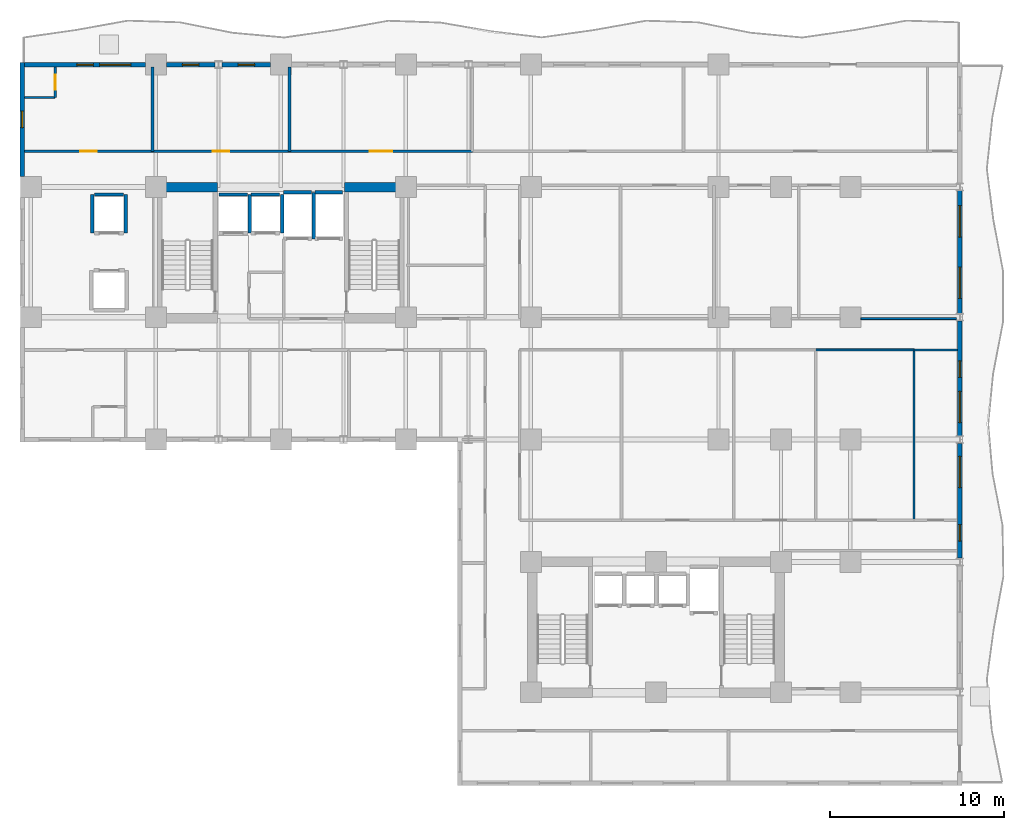
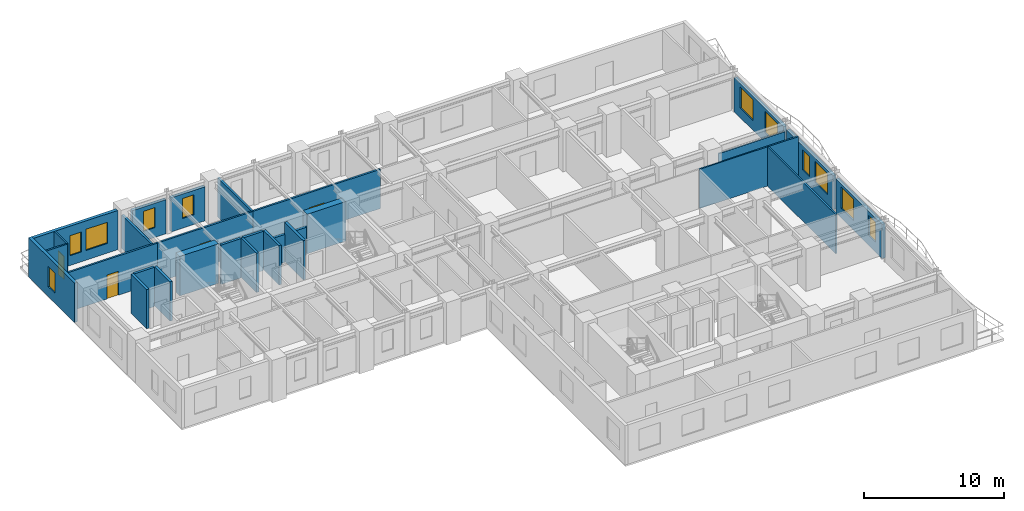
# One storey, part 6 of 11: 30 walls, 11 windows, 4 doors, 15 openings.
"""IFC4 building model written with IfcOpenShell, lengths in metres."""

from ifc_helpers import new_model, si_unit, direction, frame, frame_2d, origin, place, context, subcontext, project, spatial, rectangle, extrude, material, layer, layer_set, type_object, element, fill, save


model = new_model("IFC4")

# Units and contexts
model_context = context("Model", 3, precision=1e-05, world=origin(), true_north=direction((0.0, 1.0)))
body_context = subcontext(model_context, "Body", "Model", "MODEL_VIEW")
ifc_project = project(units=[si_unit("LENGTHUNIT", "METRE"), si_unit("AREAUNIT", "SQUARE_METRE"), si_unit("VOLUMEUNIT", "CUBIC_METRE"), si_unit("PLANEANGLEUNIT", "RADIAN"), si_unit("MASSUNIT", "GRAM", prefix="KILO")], contexts=[model_context])

# Site, building, storey
site_placement = place(None, origin())
site = spatial("IfcSite", under=ifc_project, at=site_placement, CompositionType="ELEMENT")
building_placement = place(site_placement, origin())
building = spatial("IfcBuilding", under=site, at=building_placement, Name="Kaliganga Portal Commons", CompositionType="ELEMENT")
storey_placement = place(building_placement, frame((0.0, 0.0, 100.800048828125)))
storey = spatial("IfcBuildingStorey", under=building, at=storey_placement, Name="L25", CompositionType="ELEMENT", Elevation=100.800048828125)

# Walls
ifc_material_1 = material(Name="Concrete C60/75", Category="concrete")
ifc_layer_1 = layer(ifc_material_1, 0.550048828125)
ifc_layer_set_1 = layer_set([ifc_layer_1], Name="Concrete C60/75")
wall_type_1 = type_object("IfcWallType", Name="WL-CORE-550", PredefinedType="SHEAR", material=ifc_layer_set_1)
for number, where, z_axis, x_axis, name in (
    (1, (14.75, 36.125, 0.0), (0.0, 0.0, 1.0), (1.0, 0.0, 0.0), "Core A N-West Shear Wall L25"),
    (2, (25.25, 36.125, 0.0), (0.0, 0.0, 1.0), (1.0, 0.0, 0.0), "Core A N-East Shear Wall L25"),
):
    element("IfcWall", number, at=place(storey_placement, frame(where, z_axis=z_axis, x_axis=x_axis)), inside=storey, type_object=wall_type_1, Name=name, PredefinedType="SHEAR", context=body_context, shape_type="SweptSolid", body=[
        extrude(rectangle(XDim=3.199951171875, YDim=0.550048828125, at=frame_2d((1.60009765625, 0.0))), origin(), (0.0, 0.0, 1.0), 3.449951171875),
    ])

# Wall, openings, windows
ifc_material_2 = material(Name="Insulated Aluminium-Clad Spandrel Assembly", Category="aluminium")
ifc_layer_2 = layer(ifc_material_2, 0.260009765625)
ifc_layer_set_2 = layer_set([ifc_layer_2], Name="Insulated Aluminium-Clad Spandrel Assembly")
wall_type_2 = type_object("IfcWallType", Name="WL-EXT-SPAND-260", PredefinedType="STANDARD", material=ifc_layer_set_2)
wall_1_placement = place(storey_placement, frame((60.699951171875, 21.384033203125, 0.0), z_axis=(0.0, 0.0, 1.0), x_axis=(0.0, -1.0, 0.0)))
wall_1 = element("IfcWall", 3, at=wall_1_placement, inside=storey, type_object=wall_type_2, Name="Exterior Envelope Wall L25 P1-E01-S3", PredefinedType="STANDARD", context=body_context, shape_type="SweptSolid", body=[
    extrude(rectangle(XDim=6.617919921875, YDim=0.260009765625, at=frame_2d((3.30908203125, 0.0))), origin(), (0.0, 0.0, 1.0), 2.97998046875),
])
opening_1_placement = place(wall_1_placement, frame((0.75439453125, 0.0, 0.85009765625)))
opening_1 = element("IfcOpeningElement", 4, at=opening_1_placement, cuts=wall_1, Name="Opening W-01", PredefinedType="OPENING", context=body_context, shape_type="SweptSolid", body=[
    extrude(rectangle(XDim=1.800048828125, YDim=1.85009765625, at=frame_2d((0.89990234375, 0.925048828125))), frame((0.0, 0.14013671875, 0.0), z_axis=(0.0, -1.0, 0.0), x_axis=(1.0, 0.0, 0.0)), (0.0, 0.0, 1.0), 0.280029296875),
])
opening_2_placement = place(wall_1_placement, frame((4.68701171875, 0.0, 0.85009765625)))
opening_2 = element("IfcOpeningElement", 5, at=opening_2_placement, cuts=wall_1, Name="Opening W-04", PredefinedType="OPENING", context=body_context, shape_type="SweptSolid", body=[
    extrude(rectangle(XDim=0.949951171875, YDim=1.75, at=frame_2d((0.47509765625, 0.875))), frame((0.0, 0.14013671875, 0.0), z_axis=(0.0, -1.0, 0.0), x_axis=(1.0, 0.0, 0.0)), (0.0, 0.0, 1.0), 0.280029296875),
])
ifc_material_3 = material(Name="Thermally Broken Aluminium and Low-E Double Glazing", Category="aluminium")
window_type_1 = type_object("IfcWindowType", Name="WIN-NARROW-950", PartitioningType="SINGLE_PANEL", PredefinedType="WINDOW", material=ifc_material_3)
window_1_placement = place(opening_2_placement, origin())
window_1 = element("IfcWindow", 6, at=window_1_placement, inside=storey, type_object=window_type_1, Name="Facade Window L25-P1E01S3-N10", OverallHeight=1.75, OverallWidth=0.949951171875, PartitioningType="SINGLE_PANEL", PredefinedType="WINDOW", context=body_context, shape_type="SweptSolid", body=[
    extrude(rectangle(XDim=0.949951171875, YDim=1.75, at=frame_2d((0.47509765625, 0.875))), frame((0.0, 0.030029296875, 0.0), z_axis=(0.0, -1.0, 0.0), x_axis=(1.0, 0.0, 0.0)), (0.0, 0.0, 1.0), 0.06005859375),
])
fill(opening_2, window_1)
window_type_2 = type_object("IfcWindowType", Name="WIN-STD-1800", PartitioningType="DOUBLE_PANEL_VERTICAL", PredefinedType="WINDOW", material=ifc_material_3)
window_2_placement = place(opening_1_placement, origin())
window_2 = element("IfcWindow", 7, at=window_2_placement, inside=storey, type_object=window_type_2, Name="Facade Window L25-P1E01S3-00", OverallHeight=1.85009765625, OverallWidth=1.800048828125, PartitioningType="SINGLE_PANEL", PredefinedType="WINDOW", context=body_context, shape_type="SweptSolid", body=[
    extrude(rectangle(XDim=1.800048828125, YDim=1.85009765625, at=frame_2d((0.89990234375, 0.925048828125))), frame((0.0, 0.030029296875, 0.0), z_axis=(0.0, -1.0, 0.0), x_axis=(1.0, 0.0, 0.0)), (0.0, 0.0, 1.0), 0.06005859375),
])
fill(opening_1, window_2)

wall_2_placement = place(storey_placement, frame((60.699951171875, 28.43408203125, 0.0), z_axis=(0.0, 0.0, 1.0), x_axis=(0.0, -1.0, 0.0)))
wall_2 = element("IfcWall", 8, at=wall_2_placement, inside=storey, type_object=wall_type_2, Name="Exterior Envelope Wall L25 P1-E01-S4", PredefinedType="STANDARD", context=body_context, shape_type="SweptSolid", body=[
    extrude(rectangle(XDim=6.6181640625, YDim=0.260009765625, at=frame_2d((3.30908203125, 0.0))), origin(), (0.0, 0.0, 1.0), 2.97998046875),
])
opening_3_placement = place(wall_2_placement, frame((4.0634765625, 0.0, 0.85009765625)))
opening_3 = element("IfcOpeningElement", 9, at=opening_3_placement, cuts=wall_2, Name="Opening W-01", PredefinedType="OPENING", context=body_context, shape_type="SweptSolid", body=[
    extrude(rectangle(XDim=1.800048828125, YDim=1.85009765625, at=frame_2d((0.89990234375, 0.925048828125))), frame((0.0, 0.14013671875, 0.0), z_axis=(0.0, -1.0, 0.0), x_axis=(1.0, 0.0, 0.0)), (0.0, 0.0, 1.0), 0.280029296875),
])
opening_4_placement = place(wall_2_placement, frame((2.3046875, 0.0, 0.85009765625)))
opening_4 = element("IfcOpeningElement", 10, at=opening_4_placement, cuts=wall_2, Name="Opening W-04", PredefinedType="OPENING", context=body_context, shape_type="SweptSolid", body=[
    extrude(rectangle(XDim=0.949951171875, YDim=1.75, at=frame_2d((0.47509765625, 0.875))), frame((0.0, 0.14013671875, 0.0), z_axis=(0.0, -1.0, 0.0), x_axis=(1.0, 0.0, 0.0)), (0.0, 0.0, 1.0), 0.280029296875),
])
window_3_placement = place(opening_4_placement, origin())
window_3 = element("IfcWindow", 11, at=window_3_placement, inside=storey, type_object=window_type_1, Name="Facade Window L25-P1E01S4-N5", OverallHeight=1.75, OverallWidth=0.949951171875, PartitioningType="SINGLE_PANEL", PredefinedType="WINDOW", context=body_context, shape_type="SweptSolid", body=[
    extrude(rectangle(XDim=0.949951171875, YDim=1.75, at=frame_2d((0.47509765625, 0.875))), frame((0.0, 0.030029296875, 0.0), z_axis=(0.0, -1.0, 0.0), x_axis=(1.0, 0.0, 0.0)), (0.0, 0.0, 1.0), 0.06005859375),
])
fill(opening_4, window_3)
window_4_placement = place(opening_3_placement, origin())
window_4 = element("IfcWindow", 12, at=window_4_placement, inside=storey, type_object=window_type_2, Name="Facade Window L25-P1E01S4-01", OverallHeight=1.85009765625, OverallWidth=1.800048828125, PartitioningType="SINGLE_PANEL", PredefinedType="WINDOW", context=body_context, shape_type="SweptSolid", body=[
    extrude(rectangle(XDim=1.800048828125, YDim=1.85009765625, at=frame_2d((0.89990234375, 0.925048828125))), frame((0.0, 0.030029296875, 0.0), z_axis=(0.0, -1.0, 0.0), x_axis=(1.0, 0.0, 0.0)), (0.0, 0.0, 1.0), 0.06005859375),
])
fill(opening_3, window_4)

wall_3_placement = place(storey_placement, frame((60.699951171875, 35.93408203125, 0.0), z_axis=(0.0, 0.0, 1.0), x_axis=(0.0, -1.0, 0.0)))
wall_3 = element("IfcWall", 13, at=wall_3_placement, inside=storey, type_object=wall_type_2, Name="Exterior Envelope Wall L25 P1-E01-S5", PredefinedType="STANDARD", context=body_context, shape_type="SweptSolid", body=[
    extrude(rectangle(XDim=7.068115234375, YDim=0.260009765625, at=frame_2d((3.5341796875, 0.0))), origin(), (0.0, 0.0, 1.0), 2.97998046875),
])
opening_5_placement = place(wall_3_placement, frame((0.866943359375, 0.0, 0.85009765625)))
opening_5 = element("IfcOpeningElement", 14, at=opening_5_placement, cuts=wall_3, Name="Opening W-01", PredefinedType="OPENING", context=body_context, shape_type="SweptSolid", body=[
    extrude(rectangle(XDim=1.800048828125, YDim=1.85009765625, at=frame_2d((0.89990234375, 0.925048828125))), frame((0.0, 0.14013671875, 0.0), z_axis=(0.0, -1.0, 0.0), x_axis=(1.0, 0.0, 0.0)), (0.0, 0.0, 1.0), 0.280029296875),
])
opening_6_placement = place(wall_3_placement, frame((4.40087890625, 0.0, 0.85009765625)))
opening_6 = element("IfcOpeningElement", 15, at=opening_6_placement, cuts=wall_3, Name="Opening W-01", PredefinedType="OPENING", context=body_context, shape_type="SweptSolid", body=[
    extrude(rectangle(XDim=1.800048828125, YDim=1.85009765625, at=frame_2d((0.89990234375, 0.925048828125))), frame((0.0, 0.14013671875, 0.0), z_axis=(0.0, -1.0, 0.0), x_axis=(1.0, 0.0, 0.0)), (0.0, 0.0, 1.0), 0.280029296875),
])
window_5_placement = place(opening_5_placement, origin())
window_5 = element("IfcWindow", 16, at=window_5_placement, inside=storey, type_object=window_type_2, Name="Facade Window L25-P1E01S5-00", OverallHeight=1.85009765625, OverallWidth=1.800048828125, PartitioningType="SINGLE_PANEL", PredefinedType="WINDOW", context=body_context, shape_type="SweptSolid", body=[
    extrude(rectangle(XDim=1.800048828125, YDim=1.85009765625, at=frame_2d((0.89990234375, 0.925048828125))), frame((0.0, 0.030029296875, 0.0), z_axis=(0.0, -1.0, 0.0), x_axis=(1.0, 0.0, 0.0)), (0.0, 0.0, 1.0), 0.06005859375),
])
fill(opening_5, window_5)
window_6_placement = place(opening_6_placement, origin())
window_6 = element("IfcWindow", 17, at=window_6_placement, inside=storey, type_object=window_type_2, Name="Facade Window L25-P1E01S5-01", OverallHeight=1.85009765625, OverallWidth=1.800048828125, PartitioningType="SINGLE_PANEL", PredefinedType="WINDOW", context=body_context, shape_type="SweptSolid", body=[
    extrude(rectangle(XDim=1.800048828125, YDim=1.85009765625, at=frame_2d((0.89990234375, 0.925048828125))), frame((0.0, 0.030029296875, 0.0), z_axis=(0.0, -1.0, 0.0), x_axis=(1.0, 0.0, 0.0)), (0.0, 0.0, 1.0), 0.06005859375),
])
fill(opening_6, window_6)

# Wall, opening, window
wall_4_placement = place(storey_placement, frame((18.20556640625, 43.199951171875, 0.0), z_axis=(0.0, 0.0, 1.0), x_axis=(1.0, 0.0, 0.0)))
wall_4 = element("IfcWall", 18, at=wall_4_placement, inside=storey, type_object=wall_type_2, Name="Exterior Envelope Wall L25 P1-E02-S7", PredefinedType="STANDARD", context=body_context, shape_type="SweptSolid", body=[
    extrude(rectangle(XDim=2.79345703125, YDim=0.260009765625, at=frame_2d((1.396728515625, 0.0))), origin(), (0.0, 0.0, 1.0), 2.97998046875),
])
opening_7_placement = place(wall_4_placement, frame((0.921630859375, 0.0, 0.85009765625)))
opening_7 = element("IfcOpeningElement", 19, at=opening_7_placement, cuts=wall_4, Name="Opening W-04", PredefinedType="OPENING", context=body_context, shape_type="SweptSolid", body=[
    extrude(rectangle(XDim=0.949951171875, YDim=1.75, at=frame_2d((0.47509765625, 0.875))), frame((0.0, 0.14013671875, 0.0), z_axis=(0.0, -1.0, 0.0), x_axis=(1.0, 0.0, 0.0)), (0.0, 0.0, 1.0), 0.280029296875),
])
window_7_placement = place(opening_7_placement, origin())
window_7 = element("IfcWindow", 20, at=window_7_placement, inside=storey, type_object=window_type_1, Name="Facade Window L25-P1E02S7-00", OverallHeight=1.75, OverallWidth=0.949951171875, PartitioningType="SINGLE_PANEL", PredefinedType="WINDOW", context=body_context, shape_type="SweptSolid", body=[
    extrude(rectangle(XDim=0.949951171875, YDim=1.75, at=frame_2d((0.47509765625, 0.875))), frame((0.0, 0.030029296875, 0.0), z_axis=(0.0, -1.0, 0.0), x_axis=(1.0, 0.0, 0.0)), (0.0, 0.0, 1.0), 0.06005859375),
])
fill(opening_7, window_7)

wall_5_placement = place(storey_placement, frame((15.0009765625, 43.199951171875, 0.0), z_axis=(0.0, 0.0, 1.0), x_axis=(1.0, 0.0, 0.0)))
wall_5 = element("IfcWall", 21, at=wall_5_placement, inside=storey, type_object=wall_type_2, Name="Exterior Envelope Wall L25 P1-E02-S8", PredefinedType="STANDARD", context=body_context, shape_type="SweptSolid", body=[
    extrude(rectangle(XDim=2.79345703125, YDim=0.260009765625, at=frame_2d((1.396728515625, 0.0))), origin(), (0.0, 0.0, 1.0), 2.97998046875),
])
opening_8_placement = place(wall_5_placement, frame((0.921630859375, 0.0, 0.85009765625)))
opening_8 = element("IfcOpeningElement", 22, at=opening_8_placement, cuts=wall_5, Name="Opening W-04", PredefinedType="OPENING", context=body_context, shape_type="SweptSolid", body=[
    extrude(rectangle(XDim=0.949951171875, YDim=1.75, at=frame_2d((0.47509765625, 0.875))), frame((0.0, 0.14013671875, 0.0), z_axis=(0.0, -1.0, 0.0), x_axis=(1.0, 0.0, 0.0)), (0.0, 0.0, 1.0), 0.280029296875),
])
window_8_placement = place(opening_8_placement, origin())
window_8 = element("IfcWindow", 23, at=window_8_placement, inside=storey, type_object=window_type_1, Name="Facade Window L25-P1E02S8-00", OverallHeight=1.75, OverallWidth=0.949951171875, PartitioningType="SINGLE_PANEL", PredefinedType="WINDOW", context=body_context, shape_type="SweptSolid", body=[
    extrude(rectangle(XDim=0.949951171875, YDim=1.75, at=frame_2d((0.47509765625, 0.875))), frame((0.0, 0.030029296875, 0.0), z_axis=(0.0, -1.0, 0.0), x_axis=(1.0, 0.0, 0.0)), (0.0, 0.0, 1.0), 0.06005859375),
])
fill(opening_8, window_8)

# Wall, openings, windows
wall_6_placement = place(storey_placement, frame((6.8349609375, 43.199951171875, 0.0), z_axis=(0.0, 0.0, 1.0), x_axis=(1.0, 0.0, 0.0)))
wall_6 = element("IfcWall", 24, at=wall_6_placement, inside=storey, type_object=wall_type_2, Name="Exterior Envelope Wall L25 P1-E02-S9", PredefinedType="STANDARD", context=body_context, shape_type="SweptSolid", body=[
    extrude(rectangle(XDim=6.964111328125, YDim=0.260009765625, at=frame_2d((3.48193359375, 0.0))), origin(), (0.0, 0.0, 1.0), 3.429931640625),
])
opening_9_placement = place(wall_6_placement, frame((4.322998046875, 0.0, 0.85009765625)))
opening_9 = element("IfcOpeningElement", 25, at=opening_9_placement, cuts=wall_6, Name="Opening W-01", PredefinedType="OPENING", context=body_context, shape_type="SweptSolid", body=[
    extrude(rectangle(XDim=1.800048828125, YDim=1.85009765625, at=frame_2d((0.89990234375, 0.925048828125))), frame((0.0, 0.14013671875, 0.0), z_axis=(0.0, -1.0, 0.0), x_axis=(1.0, 0.0, 0.0)), (0.0, 0.0, 1.0), 0.280029296875),
])
opening_10_placement = place(wall_6_placement, frame((3.007080078125, 0.0, 0.85009765625)))
opening_10 = element("IfcOpeningElement", 26, at=opening_10_placement, cuts=wall_6, Name="Opening W-04", PredefinedType="OPENING", context=body_context, shape_type="SweptSolid", body=[
    extrude(rectangle(XDim=0.949951171875, YDim=1.75, at=frame_2d((0.47509765625, 0.875))), frame((0.0, 0.14013671875, 0.0), z_axis=(0.0, -1.0, 0.0), x_axis=(1.0, 0.0, 0.0)), (0.0, 0.0, 1.0), 0.280029296875),
])
window_9_placement = place(opening_10_placement, origin())
window_9 = element("IfcWindow", 27, at=window_9_placement, inside=storey, type_object=window_type_1, Name="Facade Window L25-P1E02S9-N0", OverallHeight=1.75, OverallWidth=0.949951171875, PartitioningType="SINGLE_PANEL", PredefinedType="WINDOW", context=body_context, shape_type="SweptSolid", body=[
    extrude(rectangle(XDim=0.949951171875, YDim=1.75, at=frame_2d((0.47509765625, 0.875))), frame((0.0, 0.030029296875, 0.0), z_axis=(0.0, -1.0, 0.0), x_axis=(1.0, 0.0, 0.0)), (0.0, 0.0, 1.0), 0.06005859375),
])
fill(opening_10, window_9)
window_10_placement = place(opening_9_placement, origin())
window_10 = element("IfcWindow", 28, at=window_10_placement, inside=storey, type_object=window_type_2, Name="Facade Window L25-P1E02S9-01", OverallHeight=1.85009765625, OverallWidth=1.800048828125, PartitioningType="SINGLE_PANEL", PredefinedType="WINDOW", context=body_context, shape_type="SweptSolid", body=[
    extrude(rectangle(XDim=1.800048828125, YDim=1.85009765625, at=frame_2d((0.89990234375, 0.925048828125))), frame((0.0, 0.030029296875, 0.0), z_axis=(0.0, -1.0, 0.0), x_axis=(1.0, 0.0, 0.0)), (0.0, 0.0, 1.0), 0.06005859375),
])
fill(opening_9, window_10)

# Wall, opening, window
wall_7_placement = place(storey_placement, frame((6.699951171875, 36.7509765625, 0.0), z_axis=(0.0, 0.0, 1.0), x_axis=(0.0, 1.0, 0.0)))
wall_7 = element("IfcWall", 29, at=wall_7_placement, inside=storey, type_object=wall_type_2, Name="Exterior Envelope Wall L25 P1-E03-S1", PredefinedType="STANDARD", context=body_context, shape_type="SweptSolid", body=[
    extrude(rectangle(XDim=6.5791015625, YDim=0.260009765625, at=frame_2d((3.28955078125, 0.0))), origin(), (0.0, 0.0, 1.0), 3.429931640625),
])
opening_11_placement = place(wall_7_placement, frame((2.814453125, 0.0, 0.85009765625)))
opening_11 = element("IfcOpeningElement", 30, at=opening_11_placement, cuts=wall_7, Name="Opening W-04", PredefinedType="OPENING", context=body_context, shape_type="SweptSolid", body=[
    extrude(rectangle(XDim=0.949951171875, YDim=1.75, at=frame_2d((0.47509765625, 0.875))), frame((0.0, 0.14013671875, 0.0), z_axis=(0.0, -1.0, 0.0), x_axis=(1.0, 0.0, 0.0)), (0.0, 0.0, 1.0), 0.280029296875),
])
window_11_placement = place(opening_11_placement, origin())
window_11 = element("IfcWindow", 31, at=window_11_placement, inside=storey, type_object=window_type_1, Name="Facade Window L25-P1E03S1-N0", OverallHeight=1.75, OverallWidth=0.949951171875, PartitioningType="SINGLE_PANEL", PredefinedType="WINDOW", context=body_context, shape_type="SweptSolid", body=[
    extrude(rectangle(XDim=0.949951171875, YDim=1.75, at=frame_2d((0.47509765625, 0.875))), frame((0.0, 0.030029296875, 0.0), z_axis=(0.0, -1.0, 0.0), x_axis=(1.0, 0.0, 0.0)), (0.0, 0.0, 1.0), 0.06005859375),
])
fill(opening_11, window_11)

# Wall, opening, door
ifc_material_4 = material(Name="Fire-Rated Gypsum Board on Steel Stud", Category="steel")
ifc_layer_3 = layer(ifc_material_4, 0.14990234375)
ifc_layer_set_3 = layer_set([ifc_layer_3], Name="Fire-Rated Gypsum Board on Steel Stud")
wall_type_3 = type_object("IfcWallType", Name="WL-PART-CORR-150", PredefinedType="PARTITIONING", material=ifc_layer_set_3)
wall_8_placement = place(storey_placement, frame((22.10009765625, 38.199951171875, 0.0), z_axis=(0.0, 0.0, 1.0), x_axis=(1.0, 0.0, 0.0)))
wall_8 = element("IfcWall", 32, at=wall_8_placement, inside=storey, type_object=wall_type_3, Name="Interior Partition L25-009", PredefinedType="PARTITIONING", context=body_context, shape_type="SweptSolid", body=[
    extrude(rectangle(XDim=10.52001953125, YDim=0.14990234375, at=frame_2d((5.260009765625, 0.0))), origin(), (0.0, 0.0, 1.0), 3.429931640625),
])
opening_12_placement = place(wall_8_placement, frame((4.610107421875, 0.0, 0.0)))
opening_12 = element("IfcOpeningElement", 33, at=opening_12_placement, cuts=wall_8, Name="Opening RD-03", PredefinedType="OPENING", context=body_context, shape_type="SweptSolid", body=[
    extrude(rectangle(XDim=1.300048828125, YDim=2.1201171875, at=frame_2d((0.64990234375, 1.06005859375))), frame((0.0, 0.0849609375, 0.0), z_axis=(0.0, -1.0, 0.0), x_axis=(1.0, 0.0, 0.0)), (0.0, 0.0, 1.0), 0.169921875),
])
ifc_material_5 = material(Name="Glazed Timber Seminar Vision Door", Category="wood")
door_type_1 = type_object("IfcDoorType", Name="DR-STUDY-1300", OperationType="DOUBLE_DOOR_SINGLE_SWING", PredefinedType="DOOR", material=ifc_material_5)
door_1_placement = place(opening_12_placement, origin())
door_1 = element("IfcDoor", 34, at=door_1_placement, inside=storey, type_object=door_type_1, Name="Interior Door L25-AN03", OperationType="DOUBLE_DOOR_SINGLE_SWING", OverallHeight=2.1201171875, OverallWidth=1.300048828125, PredefinedType="DOOR", context=body_context, shape_type="SweptSolid", body=[
    extrude(rectangle(XDim=1.300048828125, YDim=2.1201171875, at=frame_2d((0.64990234375, 1.06005859375))), frame((0.0, 0.02490234375, 0.0), z_axis=(0.0, -1.0, 0.0), x_axis=(1.0, 0.0, 0.0)), (0.0, 0.0, 1.0), 0.050048828125),
])
fill(opening_12, door_1)

wall_9_placement = place(storey_placement, frame((14.199951171875, 38.199951171875, 0.0), z_axis=(0.0, 0.0, 1.0), x_axis=(1.0, 0.0, 0.0)))
wall_9 = element("IfcWall", 35, at=wall_9_placement, inside=storey, type_object=wall_type_3, Name="Interior Partition L25-017", PredefinedType="PARTITIONING", context=body_context, shape_type="SweptSolid", body=[
    extrude(rectangle(XDim=7.900146484375, YDim=0.14990234375, at=frame_2d((3.9501953125, 0.0))), origin(), (0.0, 0.0, 1.0), 3.429931640625),
])
opening_13_placement = place(wall_9_placement, frame((3.47509765625, 0.0, 0.0)))
opening_13 = element("IfcOpeningElement", 36, at=opening_13_placement, cuts=wall_9, Name="Opening UD-01", PredefinedType="OPENING", context=body_context, shape_type="SweptSolid", body=[
    extrude(rectangle(XDim=0.949951171875, YDim=2.10009765625, at=frame_2d((0.47509765625, 1.050048828125))), frame((0.0, 0.0849609375, 0.0), z_axis=(0.0, -1.0, 0.0), x_axis=(1.0, 0.0, 0.0)), (0.0, 0.0, 1.0), 0.169921875),
])
ifc_material_6 = material(Name="Solid-Core Timber Acoustic Fire Door", Category="wood")
door_type_2 = type_object("IfcDoorType", Name="DR-UNIT-950", OperationType="NOTDEFINED", PredefinedType="DOOR", material=ifc_material_6)
door_2_placement = place(opening_13_placement, origin())
door_2 = element("IfcDoor", 37, at=door_2_placement, inside=storey, type_object=door_type_2, Name="Interior Door L25-AN02", OperationType="SINGLE_SWING_LEFT", OverallHeight=2.10009765625, OverallWidth=0.949951171875, PredefinedType="DOOR", context=body_context, shape_type="SweptSolid", body=[
    extrude(rectangle(XDim=0.949951171875, YDim=2.10009765625, at=frame_2d((0.47509765625, 1.050048828125))), frame((0.0, 0.02490234375, 0.0), z_axis=(0.0, -1.0, 0.0), x_axis=(1.0, 0.0, 0.0)), (0.0, 0.0, 1.0), 0.050048828125),
])
fill(opening_13, door_2)

wall_10_placement = place(storey_placement, frame((6.83203125, 38.199951171875, 0.0), z_axis=(0.0, 0.0, 1.0), x_axis=(1.0, 0.0, 0.0)))
wall_10 = element("IfcWall", 38, at=wall_10_placement, inside=storey, type_object=wall_type_3, Name="Interior Partition L25-020", PredefinedType="PARTITIONING", context=body_context, shape_type="SweptSolid", body=[
    extrude(rectangle(XDim=7.367919921875, YDim=0.14990234375, at=frame_2d((3.68408203125, 0.0))), origin(), (0.0, 0.0, 1.0), 3.429931640625),
])
opening_14_placement = place(wall_10_placement, frame((3.208984375, 0.0, 0.0)))
opening_14 = element("IfcOpeningElement", 39, at=opening_14_placement, cuts=wall_10, Name="Opening UD-01", PredefinedType="OPENING", context=body_context, shape_type="SweptSolid", body=[
    extrude(rectangle(XDim=0.949951171875, YDim=2.10009765625, at=frame_2d((0.47509765625, 1.050048828125))), frame((0.0, 0.0849609375, 0.0), z_axis=(0.0, -1.0, 0.0), x_axis=(1.0, 0.0, 0.0)), (0.0, 0.0, 1.0), 0.169921875),
])
door_3_placement = place(opening_14_placement, origin())
door_3 = element("IfcDoor", 40, at=door_3_placement, inside=storey, type_object=door_type_2, Name="Interior Door L25-AN01", OperationType="SINGLE_SWING_RIGHT", OverallHeight=2.10009765625, OverallWidth=0.949951171875, PredefinedType="DOOR", context=body_context, shape_type="SweptSolid", body=[
    extrude(rectangle(XDim=0.949951171875, YDim=2.10009765625, at=frame_2d((0.47509765625, 1.050048828125))), frame((0.0, 0.02490234375, 0.0), z_axis=(0.0, -1.0, 0.0), x_axis=(1.0, 0.0, 0.0)), (0.0, 0.0, 1.0), 0.050048828125),
])
fill(opening_14, door_3)

# Walls
ifc_material_7 = material(Name="Moisture-Resistant Gypsum Partition", Category="gypsum")
ifc_layer_4 = layer(ifc_material_7, 0.114990234375)
ifc_layer_set_4 = layer_set([ifc_layer_4], Name="Moisture-Resistant Gypsum Partition")
wall_type_4 = type_object("IfcWallType", Name="WL-PART-ROOM-115", PredefinedType="PARTITIONING", material=ifc_layer_set_4)
wall_11_placement = place(storey_placement, frame((55.0, 28.56005859375, 0.0), z_axis=(0.0, 0.0, 1.0), x_axis=(1.0, 0.0, 0.0)))
element("IfcWall", 41, at=wall_11_placement, inside=storey, type_object=wall_type_4, Name="Interior Partition L25-053", PredefinedType="PARTITIONING", context=body_context, shape_type="SweptSolid", body=[
    extrude(rectangle(XDim=5.49560546875, YDim=0.114990234375, at=frame_2d((2.747802734375, 0.0))), origin(), (0.0, 0.0, 1.0), 2.780029296875),
])
wall_12_placement = place(storey_placement, frame((52.39990234375, 26.760009765625, 0.0), z_axis=(0.0, 0.0, 1.0), x_axis=(1.0, 0.0, 0.0)))
element("IfcWall", 42, at=wall_12_placement, inside=storey, type_object=wall_type_4, Name="Interior Partition L25-060", PredefinedType="PARTITIONING", context=body_context, shape_type="SweptSolid", body=[
    extrude(rectangle(XDim=5.66015625, YDim=0.114990234375, at=frame_2d((2.830078125, 0.0))), origin(), (0.0, 0.0, 1.0), 3.429931640625),
])
ifc_material_8 = material(Name="Twin-Stud Acoustic Gypsum Partition", Category="gypsum")
ifc_layer_5 = layer(ifc_material_8, 0.1650390625)
ifc_layer_set_5 = layer_set([ifc_layer_5], Name="Twin-Stud Acoustic Gypsum Partition")
wall_type_5 = type_object("IfcWallType", Name="WL-PART-UNIT-165", PredefinedType="PARTITIONING", material=ifc_layer_set_5)
wall_13_placement = place(storey_placement, frame((14.199951171875, 38.199951171875, 0.0), z_axis=(0.0, 0.0, 1.0), x_axis=(0.0, 1.0, 0.0)))
element("IfcWall", 43, at=wall_13_placement, inside=storey, type_object=wall_type_5, Name="Interior Partition L25-065", PredefinedType="PARTITIONING", context=body_context, shape_type="SweptSolid", body=[
    extrude(rectangle(XDim=4.8681640625, YDim=0.1650390625, at=frame_2d((2.43408203125, 0.0))), origin(), (0.0, 0.0, 1.0), 2.929931640625),
])
wall_14_placement = place(storey_placement, frame((22.10009765625, 38.199951171875, 0.0), z_axis=(0.0, 0.0, 1.0), x_axis=(0.0, 1.0, 0.0)))
element("IfcWall", 44, at=wall_14_placement, inside=storey, type_object=wall_type_5, Name="Interior Partition L25-066", PredefinedType="PARTITIONING", context=body_context, shape_type="SweptSolid", body=[
    extrude(rectangle(XDim=4.8681640625, YDim=0.1650390625, at=frame_2d((2.43408203125, 0.0))), origin(), (0.0, 0.0, 1.0), 3.429931640625),
])

# Wall, opening, door
ifc_material_9 = material(Name="Cement-Board Wet-Room Partition", Category="gypsum")
ifc_layer_6 = layer(ifc_material_9, 0.135009765625)
ifc_layer_set_6 = layer_set([ifc_layer_6], Name="Cement-Board Wet-Room Partition")
wall_type_6 = type_object("IfcWallType", Name="WL-PART-WET-135", PredefinedType="PARTITIONING", material=ifc_layer_set_6)
wall_15_placement = place(storey_placement, frame((8.60009765625, 41.300048828125, 0.0), z_axis=(0.0, 0.0, 1.0), x_axis=(0.0, 1.0, 0.0)))
wall_15 = element("IfcWall", 45, at=wall_15_placement, inside=storey, type_object=wall_type_6, Name="Interior Partition L25-001", PredefinedType="PARTITIONING", context=body_context, shape_type="SweptSolid", body=[
    extrude(rectangle(XDim=1.76806640625, YDim=0.135009765625, at=frame_2d((0.884033203125, 0.0))), origin(), (0.0, 0.0, 1.0), 3.429931640625),
])
opening_15_placement = place(wall_15_placement, frame((0.458984375, 0.0, 0.0)))
opening_15 = element("IfcOpeningElement", 46, at=opening_15_placement, cuts=wall_15, Name="Opening WD-01", PredefinedType="OPENING", context=body_context, shape_type="SweptSolid", body=[
    extrude(rectangle(XDim=0.85009765625, YDim=2.0400390625, at=frame_2d((0.425048828125, 1.02001953125))), frame((0.0, 0.07763671875, 0.0), z_axis=(0.0, -1.0, 0.0), x_axis=(1.0, 0.0, 0.0)), (0.0, 0.0, 1.0), 0.155029296875),
])
ifc_material_10 = material(Name="Moisture-Resistant Laminate Timber Door", Category="wood")
door_type_3 = type_object("IfcDoorType", Name="DR-WET-850", OperationType="NOTDEFINED", PredefinedType="DOOR", material=ifc_material_10)
door_4_placement = place(opening_15_placement, origin())
door_4 = element("IfcDoor", 47, at=door_4_placement, inside=storey, type_object=door_type_3, Name="Interior Door L25-AN01E", OperationType="SINGLE_SWING_LEFT", OverallHeight=2.0400390625, OverallWidth=0.85009765625, PredefinedType="DOOR", context=body_context, shape_type="SweptSolid", body=[
    extrude(rectangle(XDim=0.85009765625, YDim=2.0400390625, at=frame_2d((0.425048828125, 1.02001953125))), frame((0.0, 0.02490234375, 0.0), z_axis=(0.0, -1.0, 0.0), x_axis=(1.0, 0.0, 0.0)), (0.0, 0.0, 1.0), 0.050048828125),
])
fill(opening_15, door_4)

# Walls
wall_16_placement = place(storey_placement, frame((6.83203125, 41.300048828125, 0.0), z_axis=(0.0, 0.0, 1.0), x_axis=(1.0, 0.0, 0.0)))
element("IfcWall", 48, at=wall_16_placement, inside=storey, type_object=wall_type_6, Name="Interior Partition L25-003", PredefinedType="PARTITIONING", context=body_context, shape_type="SweptSolid", body=[
    extrude(rectangle(XDim=1.76806640625, YDim=0.135009765625, at=frame_2d((0.884033203125, 0.0))), origin(), (0.0, 0.0, 1.0), 3.429931640625),
])
wall_17_placement = place(storey_placement, frame((58.06005859375, 16.9599609375, 0.0), z_axis=(0.0, 0.0, 1.0), x_axis=(0.0, 1.0, 0.0)))
element("IfcWall", 49, at=wall_17_placement, inside=storey, type_object=wall_type_6, Name="Interior Partition L25-051", PredefinedType="PARTITIONING", context=body_context, shape_type="SweptSolid", body=[
    extrude(rectangle(XDim=9.800048828125, YDim=0.135009765625, at=frame_2d((4.89990234375, 0.0))), origin(), (0.0, 0.0, 1.0), 3.429931640625),
])
wall_18_placement = place(storey_placement, frame((58.06005859375, 26.760009765625, 0.0), z_axis=(0.0, 0.0, 1.0), x_axis=(1.0, 0.0, 0.0)))
element("IfcWall", 50, at=wall_18_placement, inside=storey, type_object=wall_type_6, Name="Interior Partition L25-078", PredefinedType="PARTITIONING", context=body_context, shape_type="SweptSolid", body=[
    extrude(rectangle(XDim=2.508056640625, YDim=0.135009765625, at=frame_2d((1.25390625, 0.0))), origin(), (0.0, 0.0, 1.0), 3.429931640625),
])
ifc_material_11 = material(Name="Fire-Rated Shaftwall Masonry Assembly", Category="masonry")
ifc_layer_7 = layer(ifc_material_11, 0.199951171875)
ifc_layer_set_7 = layer_set([ifc_layer_7], Name="Fire-Rated Shaftwall Masonry Assembly")
wall_type_7 = type_object("IfcWallType", Name="WL-SHAFT-200", PredefinedType="PARTITIONING", material=ifc_layer_set_7)
wall_19_placement = place(storey_placement, frame((18.02490234375, 35.715087890625, 0.0), z_axis=(0.0, 0.0, 1.0), x_axis=(1.0, 0.0, 0.0)))
element("IfcWall", 51, at=wall_19_placement, inside=storey, type_object=wall_type_7, Name="Lift PL-A1 Hoistway Shaft Wall L25-N", PredefinedType="PARTITIONING", context=body_context, shape_type="SweptSolid", body=[
    extrude(rectangle(XDim=1.650146484375, YDim=0.199951171875, at=frame_2d((0.8251953125, 0.0))), origin(), (0.0, 0.0, 1.0), 3.429931640625),
])
wall_20_placement = place(storey_placement, frame((19.81494140625, 33.485107421875, 0.0), z_axis=(0.0, 0.0, 1.0), x_axis=(0.0, 1.0, 0.0)))
element("IfcWall", 52, at=wall_20_placement, inside=storey, type_object=wall_type_7, Name="Lift PL-A1 Hoistway Shaft Wall L25-E", PredefinedType="PARTITIONING", context=body_context, shape_type="SweptSolid", body=[
    extrude(rectangle(XDim=2.22998046875, YDim=0.199951171875, at=frame_2d((1.114990234375, 0.0))), origin(), (0.0, 0.0, 1.0), 3.429931640625),
])
wall_21_placement = place(storey_placement, frame((19.875, 35.715087890625, 0.0), z_axis=(0.0, 0.0, 1.0), x_axis=(1.0, 0.0, 0.0)))
element("IfcWall", 53, at=wall_21_placement, inside=storey, type_object=wall_type_7, Name="Lift PL-A2 Hoistway Shaft Wall L25-N", PredefinedType="PARTITIONING", context=body_context, shape_type="SweptSolid", body=[
    extrude(rectangle(XDim=1.64990234375, YDim=0.199951171875, at=frame_2d((0.824951171875, 0.0))), origin(), (0.0, 0.0, 1.0), 3.429931640625),
])
wall_22_placement = place(storey_placement, frame((21.6650390625, 33.485107421875, 0.0), z_axis=(0.0, 0.0, 1.0), x_axis=(0.0, 1.0, 0.0)))
element("IfcWall", 54, at=wall_22_placement, inside=storey, type_object=wall_type_7, Name="Lift PL-A2 Hoistway Shaft Wall L25-E", PredefinedType="PARTITIONING", context=body_context, shape_type="SweptSolid", body=[
    extrude(rectangle(XDim=2.22998046875, YDim=0.199951171875, at=frame_2d((1.114990234375, 0.0))), origin(), (0.0, 0.0, 1.0), 3.429931640625),
])
wall_23_placement = place(storey_placement, frame((10.875, 35.715087890625, 0.0), z_axis=(0.0, 0.0, 1.0), x_axis=(1.0, 0.0, 0.0)))
element("IfcWall", 55, at=wall_23_placement, inside=storey, type_object=wall_type_7, Name="Lift PL-OBS Hoistway Shaft Wall L25-N", PredefinedType="PARTITIONING", context=body_context, shape_type="SweptSolid", body=[
    extrude(rectangle(XDim=1.64990234375, YDim=0.199951171875, at=frame_2d((0.824951171875, 0.0))), origin(), (0.0, 0.0, 1.0), 3.429931640625),
])
for number, where, z_axis, x_axis, name in (
    (56, (10.735107421875, 33.485107421875, 0.0), (0.0, 0.0, 1.0), (0.0, 1.0, 0.0), "Lift PL-OBS Hoistway Shaft Wall L25-W"),
    (57, (12.6650390625, 33.485107421875, 0.0), (0.0, 0.0, 1.0), (0.0, 1.0, 0.0), "Lift PL-OBS Hoistway Shaft Wall L25-E"),
):
    element("IfcWall", number, at=place(storey_placement, frame(where, z_axis=z_axis, x_axis=x_axis)), inside=storey, type_object=wall_type_7, Name=name, PredefinedType="PARTITIONING", context=body_context, shape_type="SweptSolid", body=[
        extrude(rectangle(XDim=2.22998046875, YDim=0.199951171875, at=frame_2d((1.114990234375, 0.0))), origin(), (0.0, 0.0, 1.0), 3.429931640625),
    ])
wall_24_placement = place(storey_placement, frame((21.75, 35.840087890625, 0.0), z_axis=(0.0, 0.0, 1.0), x_axis=(1.0, 0.0, 0.0)))
element("IfcWall", 58, at=wall_24_placement, inside=storey, type_object=wall_type_7, Name="Lift FFL-1 Hoistway Shaft Wall L25-N", PredefinedType="PARTITIONING", context=body_context, shape_type="SweptSolid", body=[
    extrude(rectangle(XDim=1.60009765625, YDim=0.199951171875, at=frame_2d((0.800048828125, 0.0))), origin(), (0.0, 0.0, 1.0), 2.429931640625),
])
wall_25_placement = place(storey_placement, frame((23.489990234375, 33.159912109375, 0.0), z_axis=(0.0, 0.0, 1.0), x_axis=(0.0, 1.0, 0.0)))
element("IfcWall", 59, at=wall_25_placement, inside=storey, type_object=wall_type_7, Name="Lift FFL-1 Hoistway Shaft Wall L25-E", PredefinedType="PARTITIONING", context=body_context, shape_type="SweptSolid", body=[
    extrude(rectangle(XDim=2.68017578125, YDim=0.199951171875, at=frame_2d((1.340087890625, 0.0))), origin(), (0.0, 0.0, 1.0), 3.429931640625),
])
wall_26_placement = place(storey_placement, frame((23.550048828125, 35.840087890625, 0.0), z_axis=(0.0, 0.0, 1.0), x_axis=(1.0, 0.0, 0.0)))
element("IfcWall", 60, at=wall_26_placement, inside=storey, type_object=wall_type_7, Name="Lift FFL-2 Hoistway Shaft Wall L25-N", PredefinedType="PARTITIONING", context=body_context, shape_type="SweptSolid", body=[
    extrude(rectangle(XDim=1.599853515625, YDim=0.199951171875, at=frame_2d((0.7998046875, 0.0))), origin(), (0.0, 0.0, 1.0), 2.429931640625),
])

save(model, "model.ifc")
